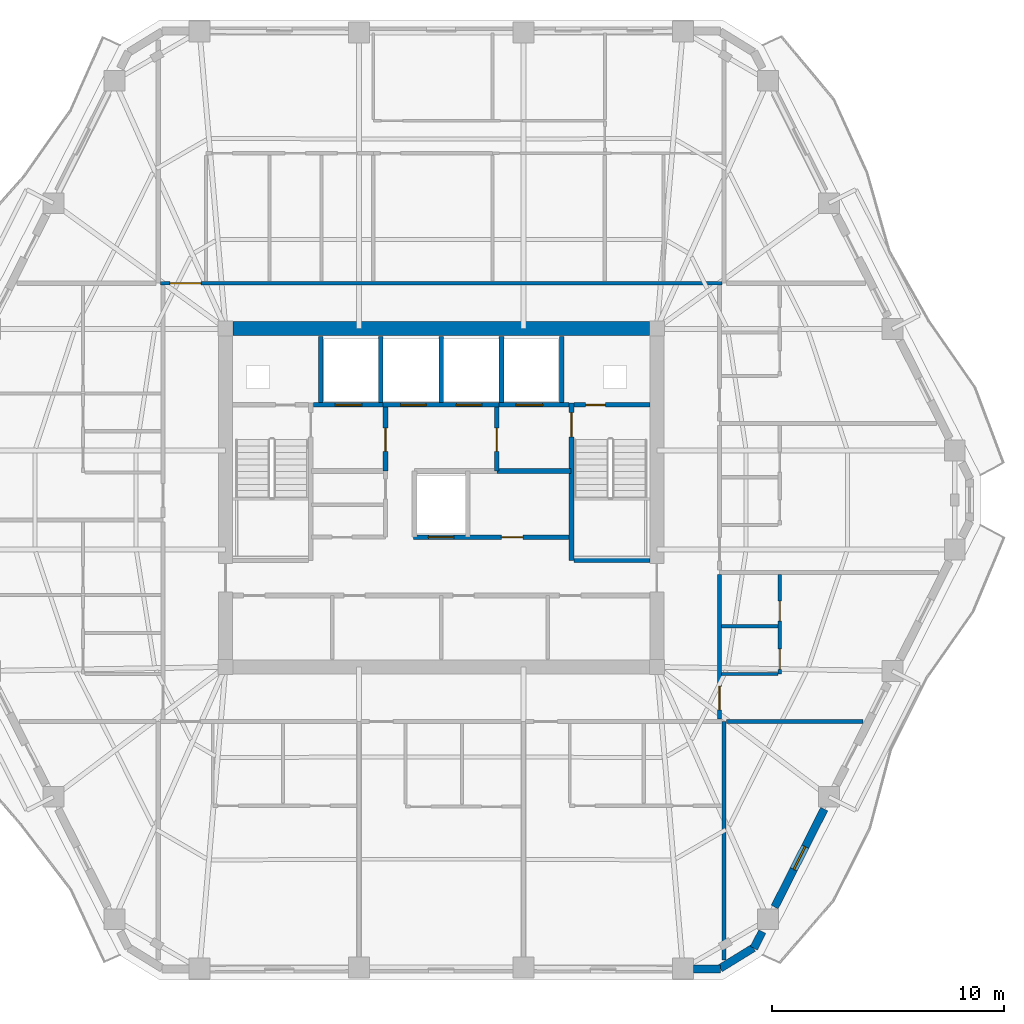
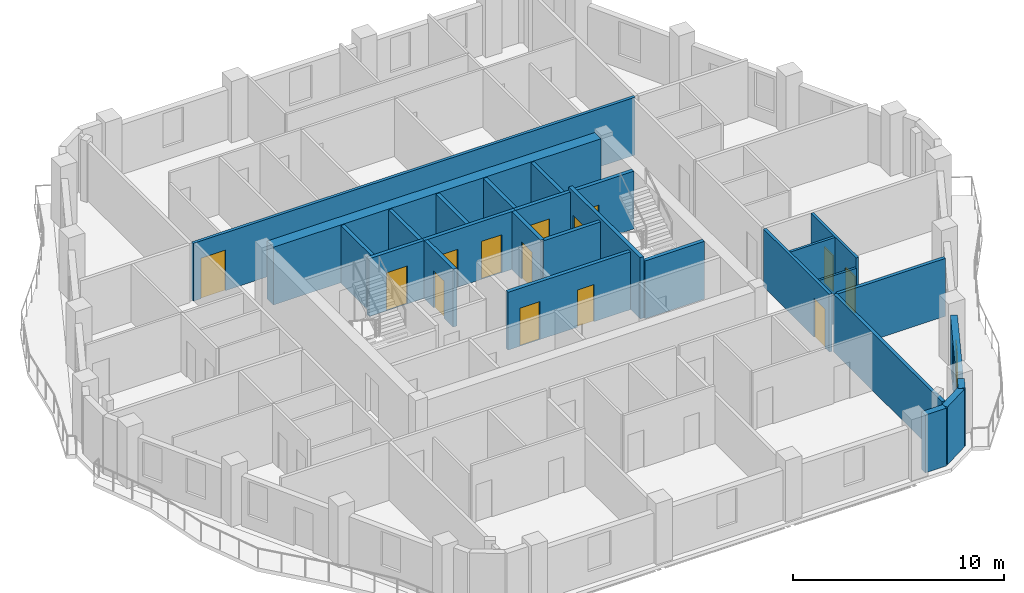
# One storey, part 6 of 12: 27 walls, 14 doors, 1 window, 15 openings.
"""IFC4 building model written with IfcOpenShell, lengths in metres."""

from ifc_helpers import new_model, si_unit, direction, frame, frame_2d, origin, place, context, subcontext, project, spatial, rectangle, extrude, material, layer, layer_set, type_object, element, fill, save


model = new_model("IFC4")

# Units and contexts
model_context = context("Model", 3, precision=1e-05, world=origin(), true_north=direction((0.0, 1.0)))
body_context = subcontext(model_context, "Body", "Model", "MODEL_VIEW")
ifc_project = project(units=[si_unit("LENGTHUNIT", "METRE"), si_unit("AREAUNIT", "SQUARE_METRE"), si_unit("VOLUMEUNIT", "CUBIC_METRE"), si_unit("PLANEANGLEUNIT", "RADIAN"), si_unit("MASSUNIT", "GRAM", prefix="KILO")], contexts=[model_context])

# Site, building, storey
site_placement = place(None, origin())
site = spatial("IfcSite", under=ifc_project, at=site_placement, CompositionType="ELEMENT")
building_placement = place(site_placement, origin())
building = spatial("IfcBuilding", under=site, at=building_placement, Name="Cinnabar Lancet Tower", CompositionType="ELEMENT")
storey_placement = place(building_placement, frame((0.0, 0.0, 189.64990234375)))
storey = spatial("IfcBuildingStorey", under=building, at=storey_placement, Name="L50", CompositionType="ELEMENT", Elevation=189.64990234375)

# Wall, opening, door
ifc_material_1 = material(Name="Acoustic twin-stud gypsum partition", Category="gypsum")
ifc_layer_1 = layer(ifc_material_1, 0.159912109375)
ifc_layer_set_1 = layer_set([ifc_layer_1], Name="Acoustic twin-stud gypsum partition")
wall_type_1 = type_object("IfcWallType", Name="ARC-WL-CORR-160", PredefinedType="PARTITIONING", material=ifc_layer_set_1)
wall_1_placement = place(storey_placement, frame((20.294921875, 35.14990234375, 0.0), z_axis=(0.0, 0.0, 1.0), x_axis=(1.0, 0.0, 0.0)))
wall_1 = element("IfcWall", 1, at=wall_1_placement, inside=storey, type_object=wall_type_1, Name="L50 Unit N01 Corridor Wall", PredefinedType="PARTITIONING", context=body_context, shape_type="SweptSolid", body=[
    extrude(rectangle(XDim=24.2099609375, YDim=0.159912109375, at=frame_2d((12.10498046875, 0.0))), origin(), (0.0, 0.0, 1.0), 3.35009765625),
])
opening_1_placement = place(wall_1_placement, frame((0.405029296875, 0.0, 0.0)))
opening_1 = element("IfcOpeningElement", 2, at=opening_1_placement, cuts=wall_1, Name="Opening UD-02", PredefinedType="OPENING", context=body_context, shape_type="SweptSolid", body=[
    extrude(rectangle(XDim=1.35009765625, YDim=2.35009765625, at=frame_2d((0.675048828125, 1.175048828125))), frame((0.0, 0.08984375, 0.0), z_axis=(0.0, -1.0, 0.0), x_axis=(1.0, 0.0, 0.0)), (0.0, 0.0, 1.0), 0.179931640625),
])
ifc_material_2 = material(Name="Double-leaf solid timber penthouse entrance door", Category="wood")
door_type_1 = type_object("IfcDoorType", Name="ARC-DR-UNIT-PH", OperationType="NOTDEFINED", PredefinedType="DOOR", material=ifc_material_2)
door_1_placement = place(opening_1_placement, origin())
door_1 = element("IfcDoor", 3, at=door_1_placement, inside=storey, type_object=door_type_1, Name="DR-L50-N01-ENT", OperationType="SINGLE_SWING_RIGHT", OverallHeight=2.35009765625, OverallWidth=1.35009765625, PredefinedType="DOOR", context=body_context, shape_type="SweptSolid", body=[
    extrude(rectangle(XDim=1.35009765625, YDim=2.35009765625, at=frame_2d((0.675048828125, 1.175048828125))), frame((0.0, 0.02490234375, 0.0), z_axis=(0.0, -1.0, 0.0), x_axis=(1.0, 0.0, 0.0)), (0.0, 0.0, 1.0), 0.050048828125),
])
fill(opening_1, door_1)

wall_2_placement = place(storey_placement, frame((44.39990234375, 16.344970703125, 0.0), z_axis=(0.0, 0.0, 1.0), x_axis=(0.0, 1.0, 0.0)))
wall_2 = element("IfcWall", 4, at=wall_2_placement, inside=storey, type_object=wall_type_1, Name="UW-L50-E01-COR", PredefinedType="PARTITIONING", context=body_context, shape_type="SweptSolid", body=[
    extrude(rectangle(XDim=6.236083984375, YDim=0.159912109375, at=frame_2d((3.1181640625, 0.0))), origin(), (0.0, 0.0, 1.0), 3.35009765625),
])
opening_2_placement = place(wall_2_placement, frame((0.39990234375, 0.0, 0.0)))
opening_2 = element("IfcOpeningElement", 5, at=opening_2_placement, cuts=wall_2, Name="Opening UD-01", PredefinedType="OPENING", context=body_context, shape_type="SweptSolid", body=[
    extrude(rectangle(XDim=1.02001953125, YDim=2.25, at=frame_2d((0.510009765625, 1.125))), frame((0.0, 0.08984375, 0.0), z_axis=(0.0, -1.0, 0.0), x_axis=(1.0, 0.0, 0.0)), (0.0, 0.0, 1.0), 0.179931640625),
])
ifc_material_3 = material(Name="Solid timber fire-rated apartment entrance door", Category="wood")
door_type_2 = type_object("IfcDoorType", Name="ARC-DR-UNIT", OperationType="NOTDEFINED", PredefinedType="DOOR", material=ifc_material_3)
door_2_placement = place(opening_2_placement, origin())
door_2 = element("IfcDoor", 6, at=door_2_placement, inside=storey, type_object=door_type_2, Name="DR-L50-E01-ENT", OperationType="SINGLE_SWING_RIGHT", OverallHeight=2.25, OverallWidth=1.02001953125, PredefinedType="DOOR", context=body_context, shape_type="SweptSolid", body=[
    extrude(rectangle(XDim=1.02001953125, YDim=2.25, at=frame_2d((0.510009765625, 1.125))), frame((0.0, 0.02490234375, 0.0), z_axis=(0.0, -1.0, 0.0), x_axis=(1.0, 0.0, 0.0)), (0.0, 0.0, 1.0), 0.050048828125),
])
fill(opening_2, door_2)

# Walls
ifc_material_4 = material(Name="Fire-rated twin-frame acoustic drywall", Category="gypsum")
ifc_layer_2 = layer(ifc_material_4, 0.179931640625)
ifc_layer_set_2 = layer_set([ifc_layer_2], Name="Fire-rated twin-frame acoustic drywall")
wall_type_2 = type_object("IfcWallType", Name="ARC-WL-PARTY-180", PredefinedType="PARTITIONING", material=ifc_layer_set_2)
wall_3_placement = place(storey_placement, frame((44.60009765625, 5.968017578125, 0.0), z_axis=(0.0, 0.0, 1.0), x_axis=(0.0, 1.0, 0.0)))
element("IfcWall", 7, at=wall_3_placement, inside=storey, type_object=wall_type_2, Name="PW-L50-SPTY-446", PredefinedType="PARTITIONING", context=body_context, shape_type="SweptSolid", body=[
    extrude(rectangle(XDim=10.281982421875, YDim=0.179931640625, at=frame_2d((5.14111328125, 0.0))), origin(), (0.0, 0.0, 1.0), 3.35009765625),
])
wall_4_placement = place(storey_placement, frame((44.695068359375, 16.25, 0.0), z_axis=(0.0, 0.0, 1.0), x_axis=(1.0, 0.0, 0.0)))
element("IfcWall", 8, at=wall_4_placement, inside=storey, type_object=wall_type_2, Name="PW-L50-ESB", PredefinedType="PARTITIONING", context=body_context, shape_type="SweptSolid", body=[
    extrude(rectangle(XDim=5.89404296875, YDim=0.179931640625, at=frame_2d((2.947021484375, 0.0))), origin(), (0.0, 0.0, 1.0), 3.35009765625),
])
ifc_material_5 = material(Name="Autoclaved aerated concrete blockwork", Category="masonry")
ifc_layer_3 = layer(ifc_material_5, 0.199951171875)
ifc_layer_set_3 = layer_set([ifc_layer_3], Name="Autoclaved aerated concrete blockwork")
wall_type_3 = type_object("IfcWallType", Name="ARC-WL-SHAFT-200", PredefinedType="PLUMBINGWALL", material=ifc_layer_set_3)
wall_5_placement = place(storey_placement, frame((38.125, 23.199951171875, 0.0), z_axis=(0.0, 0.0, 1.0), x_axis=(1.0, 0.0, 0.0)))
element("IfcWall", 9, at=wall_5_placement, inside=storey, type_object=wall_type_3, Name="CW-ST2S-L50", PredefinedType="PLUMBINGWALL", context=body_context, shape_type="SweptSolid", body=[
    extrude(rectangle(XDim=3.27001953125, YDim=0.199951171875, at=frame_2d((1.635009765625, 0.0))), origin(), (0.0, 0.0, 1.0), 3.35009765625),
])

# Wall, opening, door
wall_6_placement = place(storey_placement, frame((26.885009765625, 29.89990234375, 0.0), z_axis=(0.0, 0.0, 1.0), x_axis=(1.0, 0.0, 0.0)))
wall_6 = element("IfcWall", 10, at=wall_6_placement, inside=storey, type_object=wall_type_3, Name="CW-FL1-L50", PredefinedType="PLUMBINGWALL", context=body_context, shape_type="SweptSolid", body=[
    extrude(rectangle(XDim=3.014892578125, YDim=0.199951171875, at=frame_2d((1.50732421875, 0.0))), origin(), (0.0, 0.0, 1.0), 3.35009765625),
])
opening_3_placement = place(wall_6_placement, frame((0.93994140625, 0.0, 0.0)))
opening_3 = element("IfcOpeningElement", 11, at=opening_3_placement, cuts=wall_6, Name="Opening LD-02", PredefinedType="OPENING", context=body_context, shape_type="SweptSolid", body=[
    extrude(rectangle(XDim=1.14990234375, YDim=2.199951171875, at=frame_2d((0.574951171875, 1.10009765625))), frame((0.0, 0.10986328125, 0.0), z_axis=(0.0, -1.0, 0.0), x_axis=(1.0, 0.0, 0.0)), (0.0, 0.0, 1.0), 0.219970703125),
])
ifc_material_6 = material(Name="Fire-rated stainless steel firefighting lift landing door", Category="steel")
door_type_3 = type_object("IfcDoorType", Name="ARC-DR-LD-FIRE", OperationType="NOTDEFINED", PredefinedType="DOOR", material=ifc_material_6)
door_3_placement = place(opening_3_placement, origin())
door_3 = element("IfcDoor", 12, at=door_3_placement, inside=storey, type_object=door_type_3, Name="L50 Firefighting Lift FL-1 Landing Door", OperationType="DOUBLE_DOOR_SLIDING", OverallHeight=2.199951171875, OverallWidth=1.14990234375, PredefinedType="DOOR", context=body_context, shape_type="SweptSolid", body=[
    extrude(rectangle(XDim=1.14990234375, YDim=2.199951171875, at=frame_2d((0.574951171875, 1.10009765625))), frame((0.0, 0.02490234375, 0.0), z_axis=(0.0, -1.0, 0.0), x_axis=(1.0, 0.0, 0.0)), (0.0, 0.0, 1.0), 0.050048828125),
])
fill(opening_3, door_3)

# Wall, openings, doors
wall_7_placement = place(storey_placement, frame((29.89990234375, 29.89990234375, 0.0), z_axis=(0.0, 0.0, 1.0), x_axis=(1.0, 0.0, 0.0)))
wall_7 = element("IfcWall", 13, at=wall_7_placement, inside=storey, type_object=wall_type_3, Name="CW-PL78-L50", PredefinedType="PLUMBINGWALL", context=body_context, shape_type="SweptSolid", body=[
    extrude(rectangle(XDim=5.0, YDim=0.199951171875, at=frame_2d((2.5, 0.0))), origin(), (0.0, 0.0, 1.0), 3.35009765625),
])
opening_4_placement = place(wall_7_placement, frame((0.75, 0.0, 0.0)))
opening_4 = element("IfcOpeningElement", 14, at=opening_4_placement, cuts=wall_7, Name="Opening LD-01", PredefinedType="OPENING", context=body_context, shape_type="SweptSolid", body=[
    extrude(rectangle(XDim=1.10009765625, YDim=2.199951171875, at=frame_2d((0.550048828125, 1.10009765625))), frame((0.0, 0.10986328125, 0.0), z_axis=(0.0, -1.0, 0.0), x_axis=(1.0, 0.0, 0.0)), (0.0, 0.0, 1.0), 0.219970703125),
])
opening_5_placement = place(wall_7_placement, frame((3.14990234375, 0.0, 0.0)))
opening_5 = element("IfcOpeningElement", 15, at=opening_5_placement, cuts=wall_7, Name="Opening LD-01", PredefinedType="OPENING", context=body_context, shape_type="SweptSolid", body=[
    extrude(rectangle(XDim=1.10009765625, YDim=2.199951171875, at=frame_2d((0.550048828125, 1.10009765625))), frame((0.0, 0.10986328125, 0.0), z_axis=(0.0, -1.0, 0.0), x_axis=(1.0, 0.0, 0.0)), (0.0, 0.0, 1.0), 0.219970703125),
])
ifc_material_7 = material(Name="Brushed stainless steel sliding lift door", Category="steel")
door_type_4 = type_object("IfcDoorType", Name="ARC-DR-LD-PASS", OperationType="NOTDEFINED", PredefinedType="DOOR", material=ifc_material_7)
door_4_placement = place(opening_4_placement, origin())
door_4 = element("IfcDoor", 16, at=door_4_placement, inside=storey, type_object=door_type_4, Name="L50 Lift PL-7 Landing Door", OperationType="DOUBLE_DOOR_SLIDING", OverallHeight=2.199951171875, OverallWidth=1.10009765625, PredefinedType="DOOR", context=body_context, shape_type="SweptSolid", body=[
    extrude(rectangle(XDim=1.10009765625, YDim=2.199951171875, at=frame_2d((0.550048828125, 1.10009765625))), frame((0.0, 0.02490234375, 0.0), z_axis=(0.0, -1.0, 0.0), x_axis=(1.0, 0.0, 0.0)), (0.0, 0.0, 1.0), 0.050048828125),
])
fill(opening_4, door_4)
door_5_placement = place(opening_5_placement, origin())
door_5 = element("IfcDoor", 17, at=door_5_placement, inside=storey, type_object=door_type_4, Name="L50 Lift PL-8 Landing Door", OperationType="DOUBLE_DOOR_SLIDING", OverallHeight=2.199951171875, OverallWidth=1.10009765625, PredefinedType="DOOR", context=body_context, shape_type="SweptSolid", body=[
    extrude(rectangle(XDim=1.10009765625, YDim=2.199951171875, at=frame_2d((0.550048828125, 1.10009765625))), frame((0.0, 0.02490234375, 0.0), z_axis=(0.0, -1.0, 0.0), x_axis=(1.0, 0.0, 0.0)), (0.0, 0.0, 1.0), 0.050048828125),
])
fill(opening_5, door_5)

# Wall, opening, door
wall_8_placement = place(storey_placement, frame((34.89990234375, 29.89990234375, 0.0), z_axis=(0.0, 0.0, 1.0), x_axis=(1.0, 0.0, 0.0)))
wall_8 = element("IfcWall", 18, at=wall_8_placement, inside=storey, type_object=wall_type_3, Name="CW-FL2-L50", PredefinedType="PLUMBINGWALL", context=body_context, shape_type="SweptSolid", body=[
    extrude(rectangle(XDim=3.01513671875, YDim=0.199951171875, at=frame_2d((1.507568359375, 0.0))), origin(), (0.0, 0.0, 1.0), 3.35009765625),
])
opening_6_placement = place(wall_8_placement, frame((0.72509765625, 0.0, 0.0)))
opening_6 = element("IfcOpeningElement", 19, at=opening_6_placement, cuts=wall_8, Name="Opening LD-02", PredefinedType="OPENING", context=body_context, shape_type="SweptSolid", body=[
    extrude(rectangle(XDim=1.14990234375, YDim=2.199951171875, at=frame_2d((0.574951171875, 1.10009765625))), frame((0.0, 0.10986328125, 0.0), z_axis=(0.0, -1.0, 0.0), x_axis=(1.0, 0.0, 0.0)), (0.0, 0.0, 1.0), 0.219970703125),
])
door_6_placement = place(opening_6_placement, origin())
door_6 = element("IfcDoor", 20, at=door_6_placement, inside=storey, type_object=door_type_3, Name="L50 Firefighting Lift FL-2 Landing Door", OperationType="DOUBLE_DOOR_SLIDING", OverallHeight=2.199951171875, OverallWidth=1.14990234375, PredefinedType="DOOR", context=body_context, shape_type="SweptSolid", body=[
    extrude(rectangle(XDim=1.14990234375, YDim=2.199951171875, at=frame_2d((0.574951171875, 1.10009765625))), frame((0.0, 0.02490234375, 0.0), z_axis=(0.0, -1.0, 0.0), x_axis=(1.0, 0.0, 0.0)), (0.0, 0.0, 1.0), 0.050048828125),
])
fill(opening_6, door_6)

wall_9_placement = place(storey_placement, frame((38.125, 29.89990234375, 0.0), z_axis=(0.0, 0.0, 1.0), x_axis=(1.0, 0.0, 0.0)))
wall_9 = element("IfcWall", 21, at=wall_9_placement, inside=storey, type_object=wall_type_3, Name="CW-NSH-E-L50", PredefinedType="PLUMBINGWALL", context=body_context, shape_type="SweptSolid", body=[
    extrude(rectangle(XDim=3.27001953125, YDim=0.199951171875, at=frame_2d((1.635009765625, 0.0))), origin(), (0.0, 0.0, 1.0), 3.35009765625),
])
opening_7_placement = place(wall_9_placement, frame((0.5, 0.0, 0.0)))
opening_7 = element("IfcOpeningElement", 22, at=opening_7_placement, cuts=wall_9, Name="Opening PD-02", PredefinedType="OPENING", context=body_context, shape_type="SweptSolid", body=[
    extrude(rectangle(XDim=0.85009765625, YDim=2.050048828125, at=frame_2d((0.425048828125, 1.02490234375))), frame((0.0, 0.10986328125, 0.0), z_axis=(0.0, -1.0, 0.0), x_axis=(1.0, 0.0, 0.0)), (0.0, 0.0, 1.0), 0.219970703125),
])
ifc_material_8 = material(Name="Fire-rated steel riser access door", Category="steel")
door_type_5 = type_object("IfcDoorType", Name="ARC-DR-RISER", OperationType="NOTDEFINED", PredefinedType="DOOR", material=ifc_material_8)
door_7_placement = place(opening_7_placement, origin())
door_7 = element("IfcDoor", 23, at=door_7_placement, inside=storey, type_object=door_type_5, Name="L50 East Riser Access Door", OperationType="SINGLE_SWING_RIGHT", OverallHeight=2.050048828125, OverallWidth=0.85009765625, PredefinedType="DOOR", context=body_context, shape_type="SweptSolid", body=[
    extrude(rectangle(XDim=0.85009765625, YDim=2.050048828125, at=frame_2d((0.425048828125, 1.02490234375))), frame((0.0, 0.02490234375, 0.0), z_axis=(0.0, -1.0, 0.0), x_axis=(1.0, 0.0, 0.0)), (0.0, 0.0, 1.0), 0.050048828125),
])
fill(opening_7, door_7)

# Walls
for number, where, z_axis, x_axis, name in (
    (24, (27.199951171875, 30.0, 0.0), (0.0, 0.0, 1.0), (0.0, 1.0, 0.0), "CW-NSH-D1-L50"),
    (25, (29.800048828125, 30.0, 0.0), (0.0, 0.0, 1.0), (0.0, 1.0, 0.0), "CW-NSH-D2-L50"),
    (26, (32.39990234375, 30.0, 0.0), (0.0, 0.0, 1.0), (0.0, 1.0, 0.0), "CW-NSH-D3-L50"),
    (27, (35.0, 30.0, 0.0), (0.0, 0.0, 1.0), (0.0, 1.0, 0.0), "CW-NSH-D4-L50"),
    (28, (37.60009765625, 30.0, 0.0), (0.0, 0.0, 1.0), (0.0, 1.0, 0.0), "CW-NSH-D5-L50"),
):
    element("IfcWall", number, at=place(storey_placement, frame(where, z_axis=z_axis, x_axis=x_axis)), inside=storey, type_object=wall_type_3, Name=name, PredefinedType="PLUMBINGWALL", context=body_context, shape_type="SweptSolid", body=[
        extrude(rectangle(XDim=2.85009765625, YDim=0.199951171875, at=frame_2d((1.425048828125, 0.0))), origin(), (0.0, 0.0, 1.0), 3.35009765625),
    ])

# Wall, opening, door
wall_10_placement = place(storey_placement, frame((30.0, 27.050048828125, 0.0), z_axis=(0.0, 0.0, 1.0), x_axis=(0.0, 1.0, 0.0)))
wall_10 = element("IfcWall", 29, at=wall_10_placement, inside=storey, type_object=wall_type_3, Name="CW-FF1E-L50", PredefinedType="PLUMBINGWALL", context=body_context, shape_type="SweptSolid", body=[
    extrude(rectangle(XDim=2.75, YDim=0.199951171875, at=frame_2d((1.375, 0.0))), origin(), (0.0, 0.0, 1.0), 3.35009765625),
])
opening_8_placement = place(wall_10_placement, frame((0.85009765625, 0.0, 0.0)))
opening_8 = element("IfcOpeningElement", 30, at=opening_8_placement, cuts=wall_10, Name="Opening FD-01", PredefinedType="OPENING", context=body_context, shape_type="SweptSolid", body=[
    extrude(rectangle(XDim=1.0, YDim=2.14990234375, at=frame_2d((0.5, 1.074951171875))), frame((0.0, 0.10986328125, 0.0), z_axis=(0.0, -1.0, 0.0), x_axis=(1.0, 0.0, 0.0)), (0.0, 0.0, 1.0), 0.219970703125),
])
ifc_material_9 = material(Name="Fire-rated timber-core lobby door", Category="wood")
door_type_6 = type_object("IfcDoorType", Name="ARC-DR-FFAL", OperationType="NOTDEFINED", PredefinedType="DOOR", material=ifc_material_9)
door_8_placement = place(opening_8_placement, origin())
door_8 = element("IfcDoor", 31, at=door_8_placement, inside=storey, type_object=door_type_6, Name="L50 FFAL-1 Lobby Fire Door", OperationType="SINGLE_SWING_RIGHT", OverallHeight=2.14990234375, OverallWidth=1.0, PredefinedType="DOOR", context=body_context, shape_type="SweptSolid", body=[
    extrude(rectangle(XDim=1.0, YDim=2.14990234375, at=frame_2d((0.5, 1.074951171875))), frame((0.0, 0.02490234375, 0.0), z_axis=(0.0, -1.0, 0.0), x_axis=(1.0, 0.0, 0.0)), (0.0, 0.0, 1.0), 0.050048828125),
])
fill(opening_8, door_8)

wall_11_placement = place(storey_placement, frame((34.800048828125, 27.050048828125, 0.0), z_axis=(0.0, 0.0, 1.0), x_axis=(0.0, 1.0, 0.0)))
wall_11 = element("IfcWall", 32, at=wall_11_placement, inside=storey, type_object=wall_type_3, Name="CW-FF2W-L50", PredefinedType="PLUMBINGWALL", context=body_context, shape_type="SweptSolid", body=[
    extrude(rectangle(XDim=2.75, YDim=0.199951171875, at=frame_2d((1.375, 0.0))), origin(), (0.0, 0.0, 1.0), 3.35009765625),
])
opening_9_placement = place(wall_11_placement, frame((0.85009765625, 0.0, 0.0)))
opening_9 = element("IfcOpeningElement", 33, at=opening_9_placement, cuts=wall_11, Name="Opening FD-01", PredefinedType="OPENING", context=body_context, shape_type="SweptSolid", body=[
    extrude(rectangle(XDim=1.0, YDim=2.14990234375, at=frame_2d((0.5, 1.074951171875))), frame((0.0, 0.10986328125, 0.0), z_axis=(0.0, -1.0, 0.0), x_axis=(1.0, 0.0, 0.0)), (0.0, 0.0, 1.0), 0.219970703125),
])
door_9_placement = place(opening_9_placement, origin())
door_9 = element("IfcDoor", 34, at=door_9_placement, inside=storey, type_object=door_type_6, Name="L50 FFAL-2 Lobby Fire Door", OperationType="SINGLE_SWING_LEFT", OverallHeight=2.14990234375, OverallWidth=1.0, PredefinedType="DOOR", context=body_context, shape_type="SweptSolid", body=[
    extrude(rectangle(XDim=1.0, YDim=2.14990234375, at=frame_2d((0.5, 1.074951171875))), frame((0.0, 0.02490234375, 0.0), z_axis=(0.0, -1.0, 0.0), x_axis=(1.0, 0.0, 0.0)), (0.0, 0.0, 1.0), 0.050048828125),
])
fill(opening_9, door_9)

# Wall
wall_12_placement = place(storey_placement, frame((34.800048828125, 27.050048828125, 0.0), z_axis=(0.0, 0.0, 1.0), x_axis=(1.0, 0.0, 0.0)))
element("IfcWall", 35, at=wall_12_placement, inside=storey, type_object=wall_type_3, Name="CW-FF2S-L50", PredefinedType="PLUMBINGWALL", context=body_context, shape_type="SweptSolid", body=[
    extrude(rectangle(XDim=3.199951171875, YDim=0.199951171875, at=frame_2d((1.60009765625, 0.0))), origin(), (0.0, 0.0, 1.0), 3.35009765625),
])

# Wall, openings, doors
wall_13_placement = place(storey_placement, frame((31.199951171875, 24.199951171875, 0.0), z_axis=(0.0, 0.0, 1.0), x_axis=(1.0, 0.0, 0.0)))
wall_13 = element("IfcWall", 36, at=wall_13_placement, inside=storey, type_object=wall_type_3, Name="CW-PL96S-L50", PredefinedType="PLUMBINGWALL", context=body_context, shape_type="SweptSolid", body=[
    extrude(rectangle(XDim=6.800048828125, YDim=0.199951171875, at=frame_2d((3.39990234375, 0.0))), origin(), (0.0, 0.0, 1.0), 3.35009765625),
])
opening_10_placement = place(wall_13_placement, frame((0.64990234375, 0.0, 0.0)))
opening_10 = element("IfcOpeningElement", 37, at=opening_10_placement, cuts=wall_13, Name="Opening LD-01", PredefinedType="OPENING", context=body_context, shape_type="SweptSolid", body=[
    extrude(rectangle(XDim=1.10009765625, YDim=2.199951171875, at=frame_2d((0.550048828125, 1.10009765625))), frame((0.0, 0.10986328125, 0.0), z_axis=(0.0, -1.0, 0.0), x_axis=(1.0, 0.0, 0.0)), (0.0, 0.0, 1.0), 0.219970703125),
])
opening_11_placement = place(wall_13_placement, frame((3.800048828125, 0.0, 0.0)))
opening_11 = element("IfcOpeningElement", 38, at=opening_11_placement, cuts=wall_13, Name="Opening RD-01", PredefinedType="OPENING", context=body_context, shape_type="SweptSolid", body=[
    extrude(rectangle(XDim=0.919921875, YDim=2.14990234375, at=frame_2d((0.4599609375, 1.074951171875))), frame((0.0, 0.10986328125, 0.0), z_axis=(0.0, -1.0, 0.0), x_axis=(1.0, 0.0, 0.0)), (0.0, 0.0, 1.0), 0.219970703125),
])
door_10_placement = place(opening_10_placement, origin())
door_10 = element("IfcDoor", 39, at=door_10_placement, inside=storey, type_object=door_type_4, Name="L50 Lift PL-9 Landing Door", OperationType="DOUBLE_DOOR_SLIDING", OverallHeight=2.199951171875, OverallWidth=1.10009765625, PredefinedType="DOOR", context=body_context, shape_type="SweptSolid", body=[
    extrude(rectangle(XDim=1.10009765625, YDim=2.199951171875, at=frame_2d((0.550048828125, 1.10009765625))), frame((0.0, 0.02490234375, 0.0), z_axis=(0.0, -1.0, 0.0), x_axis=(1.0, 0.0, 0.0)), (0.0, 0.0, 1.0), 0.050048828125),
])
fill(opening_10, door_10)
ifc_material_10 = material(Name="Engineered timber bedroom door", Category="wood")
door_type_7 = type_object("IfcDoorType", Name="ARC-DR-ROOM", OperationType="NOTDEFINED", PredefinedType="DOOR", material=ifc_material_10)
door_11_placement = place(opening_11_placement, origin())
door_11 = element("IfcDoor", 40, at=door_11_placement, inside=storey, type_object=door_type_7, Name="DR-L50-REC6", OperationType="SINGLE_SWING_RIGHT", OverallHeight=2.14990234375, OverallWidth=0.919921875, PredefinedType="DOOR", context=body_context, shape_type="SweptSolid", body=[
    extrude(rectangle(XDim=0.919921875, YDim=2.14990234375, at=frame_2d((0.4599609375, 1.074951171875))), frame((0.0, 0.02490234375, 0.0), z_axis=(0.0, -1.0, 0.0), x_axis=(1.0, 0.0, 0.0)), (0.0, 0.0, 1.0), 0.050048828125),
])
fill(opening_11, door_11)

# Wall
ifc_material_11 = material(Name="Gypsum plasterboard stud partition", Category="gypsum")
ifc_layer_4 = layer(ifc_material_11, 0.125)
ifc_layer_set_4 = layer_set([ifc_layer_4], Name="Gypsum plasterboard stud partition")
wall_type_4 = type_object("IfcWallType", Name="ARC-WL-UNIT-125", PredefinedType="PARTITIONING", material=ifc_layer_set_4)
wall_14_placement = place(storey_placement, frame((44.485107421875, 18.300048828125, 0.0), z_axis=(0.0, 0.0, 1.0), x_axis=(1.0, 0.0, 0.0)))
element("IfcWall", 41, at=wall_14_placement, inside=storey, type_object=wall_type_4, Name="UW-L50-E01-FOYN", PredefinedType="PARTITIONING", context=body_context, shape_type="SweptSolid", body=[
    extrude(rectangle(XDim=2.429931640625, YDim=0.125, at=frame_2d((1.21484375, 0.0))), origin(), (0.0, 0.0, 1.0), 2.80712890625),
])

# Wall, openings, doors
ifc_material_12 = material(Name="Moisture-resistant cement-board plumbing wall", Category="masonry")
ifc_layer_5 = layer(ifc_material_12, 0.139892578125)
ifc_layer_set_5 = layer_set([ifc_layer_5], Name="Moisture-resistant cement-board plumbing wall")
wall_type_5 = type_object("IfcWallType", Name="ARC-WL-WET-140", PredefinedType="PLUMBINGWALL", material=ifc_layer_set_5)
wall_15_placement = place(storey_placement, frame((47.0, 18.300048828125, 0.0), z_axis=(0.0, 0.0, 1.0), x_axis=(0.0, 1.0, 0.0)))
wall_15 = element("IfcWall", 42, at=wall_15_placement, inside=storey, type_object=wall_type_5, Name="UW-L50-E01-SPL", PredefinedType="PLUMBINGWALL", context=body_context, shape_type="SweptSolid", body=[
    extrude(rectangle(XDim=4.281005859375, YDim=0.139892578125, at=frame_2d((2.140625, 0.0))), origin(), (0.0, 0.0, 1.0), 3.35009765625),
])
opening_12_placement = place(wall_15_placement, frame((2.27490234375, 0.0, 0.0)))
opening_12 = element("IfcOpeningElement", 43, at=opening_12_placement, cuts=wall_15, Name="Opening BD-01", PredefinedType="OPENING", context=body_context, shape_type="SweptSolid", body=[
    extrude(rectangle(XDim=0.860107421875, YDim=2.10009765625, at=frame_2d((0.43017578125, 1.050048828125))), frame((0.0, 0.079833984375, 0.0), z_axis=(0.0, -1.0, 0.0), x_axis=(1.0, 0.0, 0.0)), (0.0, 0.0, 1.0), 0.159912109375),
])
opening_13_placement = place(wall_15_placement, frame((0.199951171875, 0.0, 0.0)))
opening_13 = element("IfcOpeningElement", 44, at=opening_13_placement, cuts=wall_15, Name="Opening RD-02", PredefinedType="OPENING", context=body_context, shape_type="SweptSolid", body=[
    extrude(rectangle(XDim=0.8798828125, YDim=2.14990234375, at=frame_2d((0.43994140625, 1.074951171875))), frame((0.0, 0.079833984375, 0.0), z_axis=(0.0, -1.0, 0.0), x_axis=(1.0, 0.0, 0.0)), (0.0, 0.0, 1.0), 0.159912109375),
])
ifc_material_13 = material(Name="Moisture-resistant timber bathroom door", Category="wood")
door_type_8 = type_object("IfcDoorType", Name="ARC-DR-BATH", OperationType="NOTDEFINED", PredefinedType="DOOR", material=ifc_material_13)
door_12_placement = place(opening_12_placement, origin())
door_12 = element("IfcDoor", 45, at=door_12_placement, inside=storey, type_object=door_type_8, Name="DR-L50-E01-BTH", OperationType="SINGLE_SWING_RIGHT", OverallHeight=2.10009765625, OverallWidth=0.860107421875, PredefinedType="DOOR", context=body_context, shape_type="SweptSolid", body=[
    extrude(rectangle(XDim=0.860107421875, YDim=2.10009765625, at=frame_2d((0.43017578125, 1.050048828125))), frame((0.0, 0.02490234375, 0.0), z_axis=(0.0, -1.0, 0.0), x_axis=(1.0, 0.0, 0.0)), (0.0, 0.0, 1.0), 0.050048828125),
])
fill(opening_12, door_12)
ifc_material_14 = material(Name="Engineered timber study door", Category="wood")
door_type_9 = type_object("IfcDoorType", Name="ARC-DR-STUDY", OperationType="NOTDEFINED", PredefinedType="DOOR", material=ifc_material_14)
door_13_placement = place(opening_13_placement, origin())
door_13 = element("IfcDoor", 46, at=door_13_placement, inside=storey, type_object=door_type_9, Name="DR-L50-E01-KIT", OperationType="SINGLE_SWING_LEFT", OverallHeight=2.14990234375, OverallWidth=0.8798828125, PredefinedType="DOOR", context=body_context, shape_type="SweptSolid", body=[
    extrude(rectangle(XDim=0.8798828125, YDim=2.14990234375, at=frame_2d((0.43994140625, 1.074951171875))), frame((0.0, 0.02490234375, 0.0), z_axis=(0.0, -1.0, 0.0), x_axis=(1.0, 0.0, 0.0)), (0.0, 0.0, 1.0), 0.050048828125),
])
fill(opening_13, door_13)

# Walls
wall_16_placement = place(storey_placement, frame((44.485107421875, 20.35498046875, 0.0), z_axis=(0.0, 0.0, 1.0), x_axis=(1.0, 0.0, 0.0)))
element("IfcWall", 47, at=wall_16_placement, inside=storey, type_object=wall_type_5, Name="UW-L50-E01-KDV", PredefinedType="PLUMBINGWALL", context=body_context, shape_type="SweptSolid", body=[
    extrude(rectangle(XDim=2.429931640625, YDim=0.139892578125, at=frame_2d((1.21484375, 0.0))), origin(), (0.0, 0.0, 1.0), 3.35009765625),
])
ifc_material_15 = material(Name="Cinnabar red clay brick", Category="masonry")
ifc_layer_6 = layer(ifc_material_15, 0.340087890625)
ifc_layer_set_6 = layer_set([ifc_layer_6], Name="Cinnabar red clay brick")
wall_type_6 = type_object("IfcWallType", Name="ENV-WL-BRK-RED-340", PredefinedType="STANDARD", material=ifc_layer_set_6)
wall_17_placement = place(storey_placement, frame((44.43310546875, 5.60498046875, 0.0), z_axis=(0.0, 0.0, 1.0), x_axis=(0.851778214877, 0.523902541185, 0.0)))
element("IfcWall", 48, at=wall_17_placement, inside=storey, type_object=wall_type_6, Name="L50 Chamfered Corner Brick Pier 2.1", PredefinedType="STANDARD", context=body_context, shape_type="SweptSolid", body=[
    extrude(rectangle(XDim=1.677734375, YDim=0.340087890625, at=frame_2d((0.8388671875, 0.0))), origin(), (0.0, 0.0, 1.0), 3.35009765625),
])
wall_18_placement = place(storey_placement, frame((43.27490234375, 5.580078125, 0.0), z_axis=(0.0, 0.0, 1.0), x_axis=(1.0, 0.0, 0.0)))
element("IfcWall", 49, at=wall_18_placement, inside=storey, type_object=wall_type_6, Name="L50 Face 1 Masonry Bay Wall 5", PredefinedType="STANDARD", context=body_context, shape_type="SweptSolid", body=[
    extrude(rectangle(XDim=1.1630859375, YDim=0.340087890625, at=frame_2d((0.58154296875, 0.0))), origin(), (0.0, 0.0, 1.0), 3.35009765625),
])
wall_19_placement = place(storey_placement, frame((45.882080078125, 6.468017578125, 0.0), z_axis=(0.0, 0.0, 1.0), x_axis=(0.451691568309, 0.892174157392, 0.0)))
element("IfcWall", 50, at=wall_19_placement, inside=storey, type_object=wall_type_6, Name="L50 Face 2 Masonry Bay Wall 1", PredefinedType="STANDARD", context=body_context, shape_type="SweptSolid", body=[
    extrude(rectangle(XDim=0.805908203125, YDim=0.340087890625, at=frame_2d((0.40283203125, 0.0))), origin(), (0.0, 0.0, 1.0), 3.35009765625),
])

# Wall, opening, window
wall_20_placement = place(storey_placement, frame((46.782958984375, 8.2490234375, 0.0), z_axis=(0.0, 0.0, 1.0), x_axis=(0.451522864045, 0.892259549259, 0.0)))
wall_20 = element("IfcWall", 51, at=wall_20_placement, inside=storey, type_object=wall_type_6, Name="L50 Face 2 Masonry Bay Wall 2", PredefinedType="STANDARD", context=body_context, shape_type="SweptSolid", body=[
    extrude(rectangle(XDim=4.730712890625, YDim=0.340087890625, at=frame_2d((2.365234375, 0.0))), origin(), (0.0, 0.0, 1.0), 2.883056640625),
])
opening_14_placement = place(wall_20_placement, frame((1.81494140625, 0.0, 0.75)))
opening_14 = element("IfcOpeningElement", 52, at=opening_14_placement, cuts=wall_20, Name="Opening WN-04", PredefinedType="OPENING", context=body_context, shape_type="SweptSolid", body=[
    extrude(rectangle(XDim=1.10009765625, YDim=1.98291015625, at=frame_2d((0.550048828125, 0.991455078125))), frame((0.0, 0.179931640625, 0.0), z_axis=(0.0, -1.0, 0.0), x_axis=(1.0, 0.0, 0.0)), (0.0, 0.0, 1.0), 0.360107421875),
])
ifc_material_16 = material(Name="Thermally broken bronze-anodized aluminium tall lancet window", Category="aluminium")
window_type = type_object("IfcWindowType", Name="ENV-WN-LANCET-1100", PartitioningType="SINGLE_PANEL", PredefinedType="WINDOW", material=ifc_material_16)
window_placement = place(opening_14_placement, origin())
window = element("IfcWindow", 53, at=window_placement, inside=storey, type_object=window_type, Name="L50 Face 2 Gothic Lancet Window 2", OverallHeight=1.98291015625, OverallWidth=1.10009765625, PartitioningType="SINGLE_PANEL", PredefinedType="WINDOW", context=body_context, shape_type="SweptSolid", body=[
    extrude(rectangle(XDim=1.10009765625, YDim=1.98291015625, at=frame_2d((0.550048828125, 0.991455078125))), frame((0.0, 0.030029296875, 0.0), z_axis=(0.0, -1.0, 0.0), x_axis=(1.0, 0.0, 0.0)), (0.0, 0.0, 1.0), 0.06005859375),
])
fill(opening_14, window)

# Wall
ifc_material_17 = material(Name="Concrete C60/75", Category="concrete")
ifc_layer_7 = layer(ifc_material_17, 0.60009765625)
ifc_layer_set_7 = layer_set([ifc_layer_7], Name="Concrete C60/75")
wall_type_7 = type_object("IfcWallType", Name="STR-WL-CORE-600", PredefinedType="SHEAR", material=ifc_layer_set_7)
wall_21_placement = place(storey_placement, frame((23.425048828125, 33.199951171875, 0.0), z_axis=(0.0, 0.0, 1.0), x_axis=(1.0, 0.0, 0.0)))
element("IfcWall", 54, at=wall_21_placement, inside=storey, type_object=wall_type_7, Name="L50 Core Shear Wall N", PredefinedType="SHEAR", context=body_context, shape_type="SweptSolid", body=[
    extrude(rectangle(XDim=17.949951171875, YDim=0.60009765625, at=frame_2d((8.97509765625, 0.0))), origin(), (0.0, 0.0, 1.0), 3.35009765625),
])

# Wall, opening, door
ifc_material_18 = material(Name="Concrete C50/60", Category="concrete")
ifc_layer_8 = layer(ifc_material_18, 0.199951171875)
ifc_layer_set_8 = layer_set([ifc_layer_8], Name="Concrete C50/60")
wall_type_8 = type_object("IfcWallType", Name="STR-WL-STAIR-200", PredefinedType="SHEAR", material=ifc_layer_set_8)
wall_22_placement = place(storey_placement, frame((38.02001953125, 23.199951171875, 0.0), z_axis=(0.0, 0.0, 1.0), x_axis=(0.0, 1.0, 0.0)))
wall_22 = element("IfcWall", 55, at=wall_22_placement, inside=storey, type_object=wall_type_8, Name="L50 Stair ST-2 Structural Enclosure Wall", PredefinedType="SHEAR", context=body_context, shape_type="SweptSolid", body=[
    extrude(rectangle(XDim=6.780029296875, YDim=0.199951171875, at=frame_2d((3.39013671875, 0.0))), origin(), (0.0, 0.0, 1.0), 3.550048828125),
])
opening_15_placement = place(wall_22_placement, frame((5.320068359375, 0.0, 0.0)))
opening_15 = element("IfcOpeningElement", 56, at=opening_15_placement, cuts=wall_22, Name="Opening SD-01", PredefinedType="OPENING", context=body_context, shape_type="SweptSolid", body=[
    extrude(rectangle(XDim=1.050048828125, YDim=2.14990234375, at=frame_2d((0.52490234375, 1.074951171875))), frame((0.0, 0.10986328125, 0.0), z_axis=(0.0, -1.0, 0.0), x_axis=(1.0, 0.0, 0.0)), (0.0, 0.0, 1.0), 0.219970703125),
])
ifc_material_19 = material(Name="Fire-rated steel stair exit door", Category="steel")
door_type_10 = type_object("IfcDoorType", Name="ARC-DR-STAIR", OperationType="NOTDEFINED", PredefinedType="DOOR", material=ifc_material_19)
door_14_placement = place(opening_15_placement, origin())
door_14 = element("IfcDoor", 57, at=door_14_placement, inside=storey, type_object=door_type_10, Name="L50 Stair ST-2 Fire Door", OperationType="SINGLE_SWING_RIGHT", OverallHeight=2.14990234375, OverallWidth=1.050048828125, PredefinedType="DOOR", context=body_context, shape_type="SweptSolid", body=[
    extrude(rectangle(XDim=1.050048828125, YDim=2.14990234375, at=frame_2d((0.52490234375, 1.074951171875))), frame((0.0, 0.02490234375, 0.0), z_axis=(0.0, -1.0, 0.0), x_axis=(1.0, 0.0, 0.0)), (0.0, 0.0, 1.0), 0.050048828125),
])
fill(opening_15, door_14)

save(model, "model.ifc")
